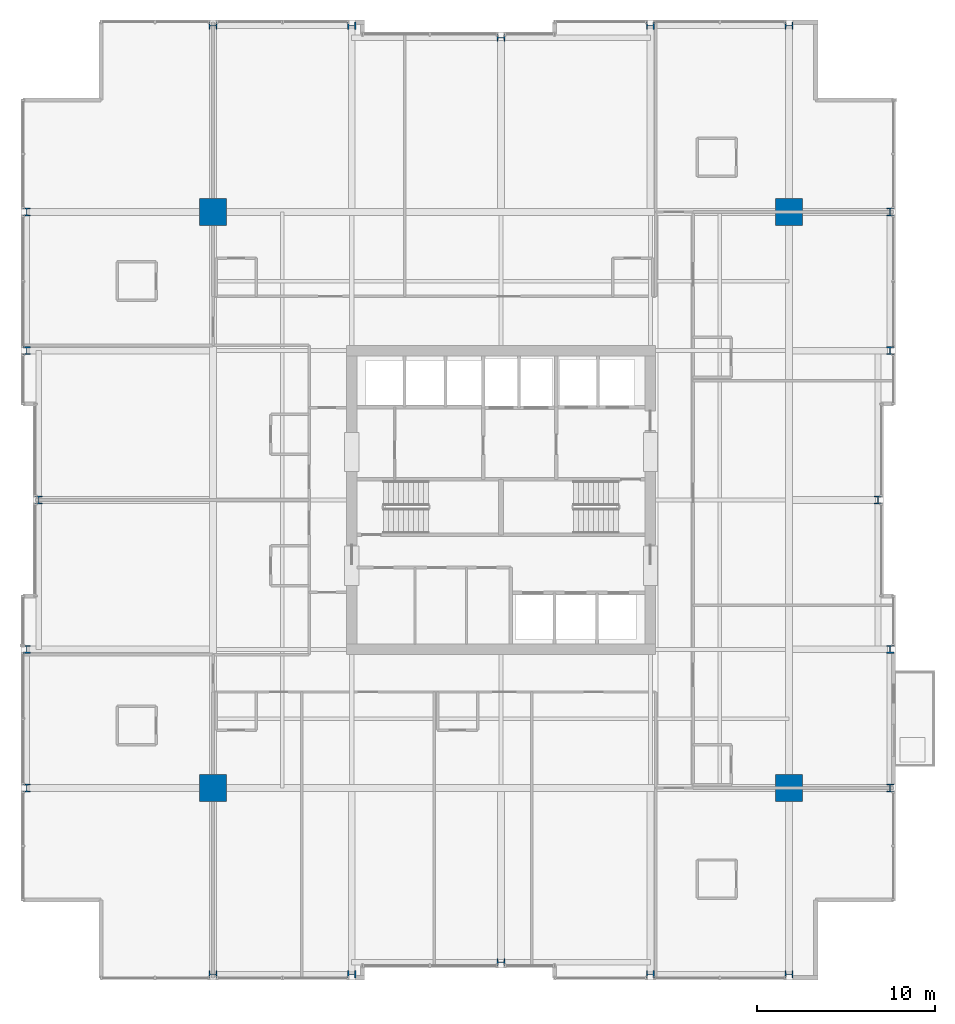
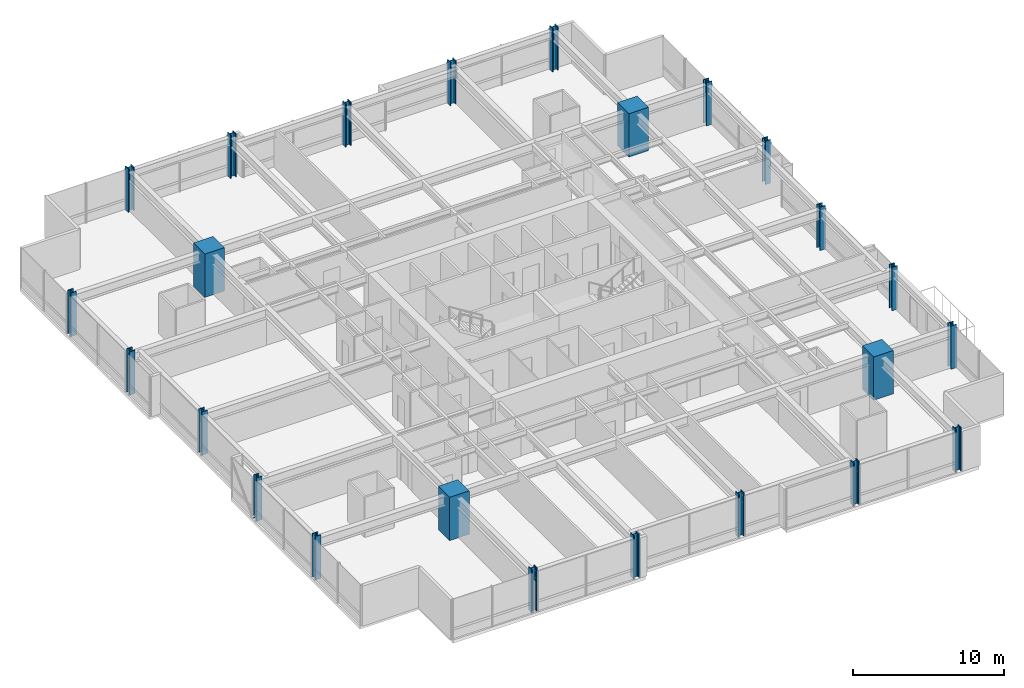
# One storey, part 1 of 34: 24 columns.
"""IFC4 building model written with IfcOpenShell, lengths in metres."""

from ifc_helpers import new_model, si_unit, direction, frame, origin, origin_2d, place, context, subcontext, project, spatial, rectangle, i_section, extrude, material, material_profile, profile_set, type_object, element, save


model = new_model("IFC4")

# Units and contexts
model_context = context("Model", 3, precision=1e-05, world=origin(), true_north=direction((0.0, 1.0)))
body_context = subcontext(model_context, "Body", "Model", "MODEL_VIEW")
ifc_project = project(units=[si_unit("LENGTHUNIT", "METRE"), si_unit("AREAUNIT", "SQUARE_METRE"), si_unit("VOLUMEUNIT", "CUBIC_METRE"), si_unit("PLANEANGLEUNIT", "RADIAN"), si_unit("MASSUNIT", "GRAM", prefix="KILO")], contexts=[model_context])

# Site, building, storey
site_placement = place(None, origin())
site = spatial("IfcSite", under=ifc_project, at=site_placement, CompositionType="ELEMENT")
building_placement = place(site_placement, origin())
building = spatial("IfcBuilding", under=site, at=building_placement, Name="Drelvath Grand Hotel", CompositionType="ELEMENT")
storey_placement = place(building_placement, frame((0.0, 0.0, 112.800048828125)))
storey = spatial("IfcBuildingStorey", under=building, at=storey_placement, Name="L28", CompositionType="ELEMENT", Elevation=112.800048828125)

# Columns
ifc_material_1 = material(Name="Concrete f'c 70 MPa", Category="concrete")
ifc_material_profile_1 = material_profile(ifc_material_1, rectangle(XDim=1.5, YDim=1.5, at=origin_2d()), Name="MC1500X1500")
ifc_profile_set_1 = profile_set([ifc_material_profile_1], Name="Concrete f'c 70 MPa")
column_type_1 = type_object("IfcColumnType", Name="Composite Mega Column MC1500X1500", PredefinedType="COLUMN", material=ifc_profile_set_1)
for number, where, z_axis, x_axis, name in (
    (1, (-16.199951171875, 10.800048828125, 0.0), (0.0, 0.0, 1.0), (1.0, 0.0, 0.0), "L28 Composite Mega Column MC-SW"),
    (2, (16.199951171875, 10.800048828125, 0.0), (0.0, 0.0, 1.0), (1.0, 0.0, 0.0), "L28 Composite Mega Column MC-SE"),
    (3, (-16.199951171875, 43.199951171875, 0.0), (0.0, 0.0, 1.0), (1.0, 0.0, 0.0), "L28 Composite Mega Column MC-NW"),
    (4, (16.199951171875, 43.199951171875, 0.0), (0.0, 0.0, 1.0), (1.0, 0.0, 0.0), "L28 Composite Mega Column MC-NE"),
):
    element("IfcColumn", number, at=place(storey_placement, frame(where, z_axis=z_axis, x_axis=x_axis)), inside=storey, type_object=column_type_1, Name=name, PredefinedType="COLUMN", context=body_context, shape_type="SweptSolid", body=[
        extrude(rectangle(XDim=1.5, YDim=1.5, at=origin_2d()), origin(), (0.0, 0.0, 1.0), 3.5),
    ])
ifc_material_2 = material(Name="Steel ASTM A913 Gr 65", Category="steel")
ifc_material_profile_2 = material_profile(ifc_material_2, i_section(OverallWidth=0.41845703125, OverallDepth=0.455078125, WebThickness=0.0419921875, FlangeThickness=0.067626953125, FilletRadius=0.030029296875, at=origin_2d()), Name="W14X370")
ifc_profile_set_2 = profile_set([ifc_material_profile_2], Name="Steel ASTM A913 Gr 65")
column_type_2 = type_object("IfcColumnType", Name="Perimeter Steel Column W14X370", PredefinedType="COLUMN", material=ifc_profile_set_2)
for number, where, z_axis, x_axis, name in (
    (5, (-26.679931640625, 10.800048828125, 0.0), (0.0, 0.0, 1.0), (1.0, 0.0, 0.0), "L28 Structural Column TCW-C"),
    (6, (21.8798828125, 10.800048828125, 0.0), (0.0, 0.0, 1.0), (1.0, 0.0, 0.0), "L28 Structural Column TCE-C"),
    (7, (-26.679931640625, 18.60009765625, 0.0), (0.0, 0.0, 1.0), (1.0, 0.0, 0.0), "L28 Structural Column TCW-D"),
    (8, (21.8798828125, 18.60009765625, 0.0), (0.0, 0.0, 1.0), (1.0, 0.0, 0.0), "L28 Structural Column TCE-D"),
    (9, (-26.0, 27.0, 0.0), (0.0, 0.0, 1.0), (1.0, 0.0, 0.0), "L28 Structural Column TCW-E"),
    (10, (21.199951171875, 27.0, 0.0), (0.0, 0.0, 1.0), (1.0, 0.0, 0.0), "L28 Structural Column TCE-E"),
    (11, (-26.679931640625, 35.39990234375, 0.0), (0.0, 0.0, 1.0), (1.0, 0.0, 0.0), "L28 Structural Column TCW-F"),
    (12, (21.8798828125, 35.39990234375, 0.0), (0.0, 0.0, 1.0), (1.0, 0.0, 0.0), "L28 Structural Column TCE-F"),
    (13, (-26.679931640625, 43.199951171875, 0.0), (0.0, 0.0, 1.0), (1.0, 0.0, 0.0), "L28 Structural Column TCW-G"),
    (14, (21.8798828125, 43.199951171875, 0.0), (0.0, 0.0, 1.0), (1.0, 0.0, 0.0), "L28 Structural Column TCE-G"),
    (15, (-16.199951171875, 0.320068359375, 0.0), (0.0, 0.0, 1.0), (0.0, 1.0, 0.0), "L28 Structural Column TCS-3"),
    (16, (-16.199951171875, 53.679931640625, 0.0), (0.0, 0.0, 1.0), (0.0, 1.0, 0.0), "L28 Structural Column TCN-3"),
    (17, (-8.39990234375, 0.320068359375, 0.0), (0.0, 0.0, 1.0), (0.0, 1.0, 0.0), "L28 Structural Column TCS-4"),
    (18, (-8.39990234375, 53.679931640625, 0.0), (0.0, 0.0, 1.0), (0.0, 1.0, 0.0), "L28 Structural Column TCN-4"),
    (19, (0.0, 1.0, 0.0), (0.0, 0.0, 1.0), (0.0, 1.0, 0.0), "L28 Structural Column TCS-5"),
    (20, (0.0, 53.0, 0.0), (0.0, 0.0, 1.0), (0.0, 1.0, 0.0), "L28 Structural Column TCN-5"),
    (21, (8.39990234375, 0.320068359375, 0.0), (0.0, 0.0, 1.0), (0.0, 1.0, 0.0), "L28 Structural Column TCS-6"),
    (22, (8.39990234375, 53.679931640625, 0.0), (0.0, 0.0, 1.0), (0.0, 1.0, 0.0), "L28 Structural Column TCN-6"),
    (23, (16.199951171875, 0.320068359375, 0.0), (0.0, 0.0, 1.0), (0.0, 1.0, 0.0), "L28 Structural Column TCS-7"),
    (24, (16.199951171875, 53.679931640625, 0.0), (0.0, 0.0, 1.0), (0.0, 1.0, 0.0), "L28 Structural Column TCN-7"),
):
    element("IfcColumn", number, at=place(storey_placement, frame(where, z_axis=z_axis, x_axis=x_axis)), inside=storey, type_object=column_type_2, Name=name, PredefinedType="COLUMN", context=body_context, shape_type="SweptSolid", body=[
        extrude(i_section(OverallWidth=0.41845703125, OverallDepth=0.455078125, WebThickness=0.0419921875, FlangeThickness=0.067626953125, FilletRadius=0.030029296875, at=origin_2d()), origin(), (0.0, 0.0, 1.0), 3.4970703125),
    ])

save(model, "model.ifc")
